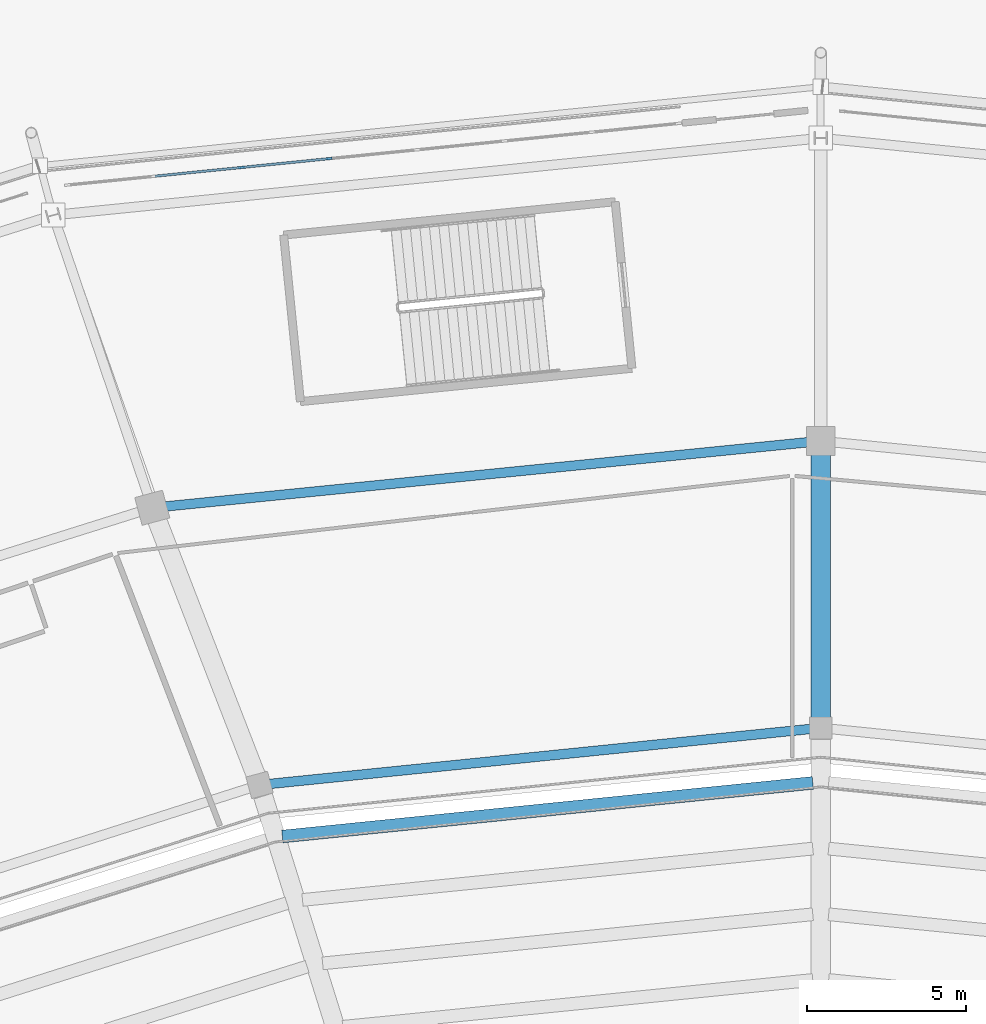
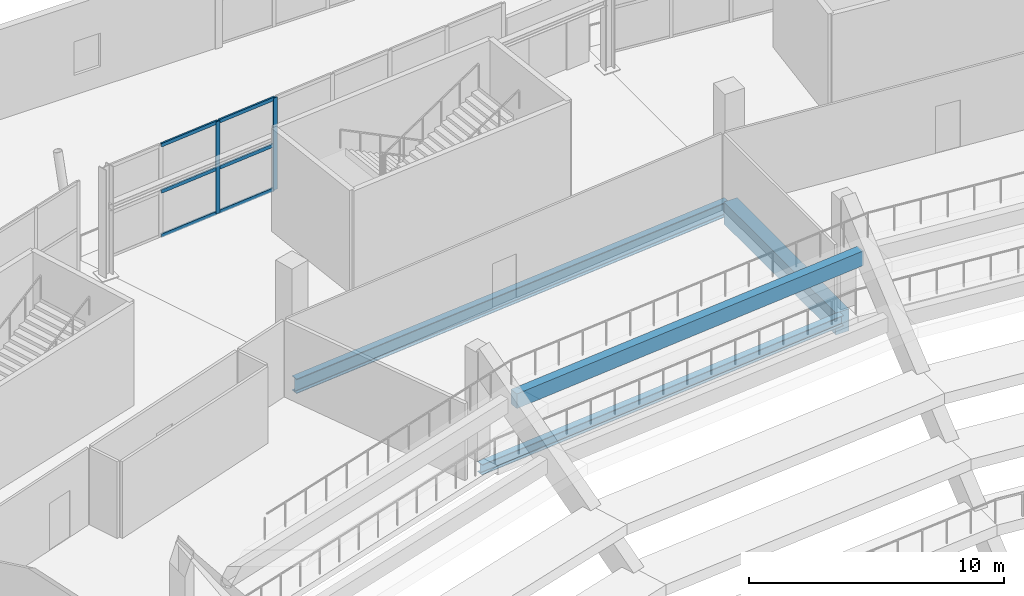
# One storey, part 74 of 178: 8 members, 4 beams, 1 element without a shape of its own.
"""IFC4 building model written with IfcOpenShell, lengths in metres."""

from ifc_helpers import new_model, si_unit, direction, frame, origin, origin_2d, place, context, subcontext, project, spatial, rectangle, i_section, extrude, material, material_profile, profile_set, type_object, element, aggregate, save


model = new_model("IFC4")

# Units and contexts
model_context = context("Model", 3, precision=1e-05, world=origin(), true_north=direction((0.0, 1.0)))
body_context = subcontext(model_context, "Body", "Model", "MODEL_VIEW")
ifc_project = project(units=[si_unit("LENGTHUNIT", "METRE"), si_unit("AREAUNIT", "SQUARE_METRE"), si_unit("VOLUMEUNIT", "CUBIC_METRE"), si_unit("PLANEANGLEUNIT", "RADIAN"), si_unit("MASSUNIT", "GRAM", prefix="KILO")], contexts=[model_context])

# Site, building, storey
site_placement = place(None, origin())
site = spatial("IfcSite", under=ifc_project, at=site_placement, CompositionType="ELEMENT")
building_placement = place(site_placement, origin())
building = spatial("IfcBuilding", under=site, at=building_placement, Name="Zlatoyarsky Gate Stadium", CompositionType="ELEMENT")
storey_placement = place(building_placement, frame((0.0, 0.0, 5.39990234375)))
storey = spatial("IfcBuildingStorey", under=building, at=storey_placement, Name="L01", CompositionType="ELEMENT", Elevation=5.39990234375)

# Curtain wall, members
ifc_material_1 = material(Name="Thermally broken anodised aluminium curtain wall", Category="aluminium")
curtain_wall_type = type_object("IfcCurtainWallType", Name="MONUMENTAL ARCHED GATE GLAZING LOWER", PredefinedType="USERDEFINED", material=ifc_material_1)
curtain_wall_placement = place(storey_placement, origin())
curtain_wall = element("IfcCurtainWall", 1, at=curtain_wall_placement, inside=storey, type_object=curtain_wall_type, Name="Curtain wall CW-L01-06", ObjectType="ARCHED GATE GLAZING", PredefinedType="USERDEFINED")
ifc_material_2 = material(Name="Anodised aluminium 6063-T6", Category="aluminium")
ifc_material_profile_1 = material_profile(ifc_material_2, rectangle(XDim=0.074951171875, YDim=0.18994140625, at=origin_2d()), Name="ALU 75X190")
ifc_profile_set_1 = profile_set([ifc_material_profile_1], Name="Anodised aluminium 6063-T6")
member_type_1 = type_object("IfcMemberType", Name="ALUMINIUM GATE MULLION 75X190", PredefinedType="MULLION", material=ifc_profile_set_1)
member_1_placement = place(storey_placement, frame((95.583251953125, 150.3544921875, 0.0), z_axis=(0.0, 0.0, 1.0), x_axis=(0.100302795257, -0.994956958498, 0.0)))
member_1 = element("IfcMember", 2, at=member_1_placement, type_object=member_type_1, Name="CW-AG1 mullion 5", PredefinedType="MULLION", context=body_context, shape_type="SweptSolid", body=[
    extrude(rectangle(XDim=0.074951171875, YDim=0.18994140625, at=origin_2d()), origin(), (0.0, 0.0, 1.0), 4.400146484375),
])
member_2_placement = place(storey_placement, frame((92.8359375, 150.077392578125, 0.0), z_axis=(0.0, 0.0, 1.0), x_axis=(0.100302795257, -0.994956958498, 0.0)))
member_2 = element("IfcMember", 3, at=member_2_placement, type_object=member_type_1, Name="CW-AG1 mullion 6", PredefinedType="MULLION", context=body_context, shape_type="SweptSolid", body=[
    extrude(rectangle(XDim=0.074951171875, YDim=0.18994140625, at=origin_2d()), origin(), (0.0, 0.0, 1.0), 4.400146484375),
])
ifc_material_profile_2 = material_profile(ifc_material_2, rectangle(XDim=0.074951171875, YDim=0.169921875, at=origin_2d()), Name="ALU 75X170")
ifc_profile_set_2 = profile_set([ifc_material_profile_2], Name="Anodised aluminium 6063-T6")
member_type_2 = type_object("IfcMemberType", Name="ALUMINIUM GATE TRANSOM 75X170", PredefinedType="USERDEFINED", material=ifc_profile_set_2)
member_3_placement = place(storey_placement, frame((95.5458984375, 150.3505859375, 0.03759765625), z_axis=(-0.994953149133, -0.100340575193, 0.0), x_axis=(0.100340575193, -0.994953149133, 0.0)))
member_3 = element("IfcMember", 4, at=member_3_placement, type_object=member_type_2, Name="CW-AG1 transom 5.1", ObjectType="TRANSOM", PredefinedType="USERDEFINED", context=body_context, shape_type="SweptSolid", body=[
    extrude(rectangle(XDim=0.074951171875, YDim=0.169921875, at=origin_2d()), origin(), (0.0, 0.0, 1.0), 2.686279296875),
])
member_4_placement = place(storey_placement, frame((95.5458984375, 150.3505859375, 2.150146484375), z_axis=(-0.994953149133, -0.100340575193, 0.0), x_axis=(0.100340575193, -0.994953149133, 0.0)))
member_4 = element("IfcMember", 5, at=member_4_placement, type_object=member_type_2, Name="CW-AG1 transom 5.2", ObjectType="TRANSOM", PredefinedType="USERDEFINED", context=body_context, shape_type="SweptSolid", body=[
    extrude(rectangle(XDim=0.074951171875, YDim=0.169921875, at=origin_2d()), origin(), (0.0, 0.0, 1.0), 2.686279296875),
])
member_5_placement = place(storey_placement, frame((95.5458984375, 150.3505859375, 4.362548828125), z_axis=(-0.994953149133, -0.100340575193, 0.0), x_axis=(0.100340575193, -0.994953149133, 0.0)))
member_5 = element("IfcMember", 6, at=member_5_placement, type_object=member_type_2, Name="CW-AG1 transom 5.3", ObjectType="TRANSOM", PredefinedType="USERDEFINED", context=body_context, shape_type="SweptSolid", body=[
    extrude(rectangle(XDim=0.074951171875, YDim=0.169921875, at=origin_2d()), origin(), (0.0, 0.0, 1.0), 2.686279296875),
])
member_6_placement = place(storey_placement, frame((92.798583984375, 150.07373046875, 0.03759765625), z_axis=(-0.994953149133, -0.100340575193, 0.0), x_axis=(0.100340575193, -0.994953149133, 0.0)))
member_6 = element("IfcMember", 7, at=member_6_placement, type_object=member_type_2, Name="CW-AG1 transom 6.1", ObjectType="TRANSOM", PredefinedType="USERDEFINED", context=body_context, shape_type="SweptSolid", body=[
    extrude(rectangle(XDim=0.074951171875, YDim=0.169921875, at=origin_2d()), origin(), (0.0, 0.0, 1.0), 2.686279296875),
])
member_7_placement = place(storey_placement, frame((92.798583984375, 150.07373046875, 2.150146484375), z_axis=(-0.994953149133, -0.100340575193, 0.0), x_axis=(0.100340575193, -0.994953149133, 0.0)))
member_7 = element("IfcMember", 8, at=member_7_placement, type_object=member_type_2, Name="CW-AG1 transom 6.2", ObjectType="TRANSOM", PredefinedType="USERDEFINED", context=body_context, shape_type="SweptSolid", body=[
    extrude(rectangle(XDim=0.074951171875, YDim=0.169921875, at=origin_2d()), origin(), (0.0, 0.0, 1.0), 2.686279296875),
])
member_8_placement = place(storey_placement, frame((92.798583984375, 150.07373046875, 4.362548828125), z_axis=(-0.994953149133, -0.100340575193, 0.0), x_axis=(0.100340575193, -0.994953149133, 0.0)))
member_8 = element("IfcMember", 9, at=member_8_placement, type_object=member_type_2, Name="CW-AG1 transom 6.3", ObjectType="TRANSOM", PredefinedType="USERDEFINED", context=body_context, shape_type="SweptSolid", body=[
    extrude(rectangle(XDim=0.074951171875, YDim=0.169921875, at=origin_2d()), origin(), (0.0, 0.0, 1.0), 2.686279296875),
])
aggregate(curtain_wall, [member_1, member_2, member_3, member_4, member_5, member_6, member_7, member_8])

# Beams
ifc_material_3 = material(Name="Concrete C40/50", Category="concrete")
ifc_material_profile_3 = material_profile(ifc_material_3, rectangle(XDim=0.39990234375, YDim=0.699951171875, at=origin_2d()), Name="RC BEAM 400X700")
ifc_profile_set_3 = profile_set([ifc_material_profile_3], Name="Concrete C40/50")
beam_type_1 = type_object("IfcBeamType", Name="CONCRETE FLOOR BEAM 400X700", PredefinedType="BEAM", material=ifc_profile_set_3)
beam_1_placement = place(storey_placement, frame((110.751220703125, 130.77490234375, 3.380126953125), z_axis=(-0.994934312971, -0.100527174794, 0.0), x_axis=(0.100527174794, -0.994934312971, 0.0)))
element("IfcBeam", 10, at=beam_1_placement, inside=storey, type_object=beam_type_1, Name="Lower bowl step tie beam 06.5", PredefinedType="BEAM", context=body_context, shape_type="SweptSolid", body=[
    extrude(rectangle(XDim=0.39990234375, YDim=0.699951171875, at=origin_2d()), origin(), (0.0, 0.0, 1.0), 16.720947265625),
])
ifc_material_profile_4 = material_profile(ifc_material_3, rectangle(XDim=0.60009765625, YDim=1.050048828125, at=origin_2d()), Name="RC GIRDER 600X1050")
ifc_profile_set_4 = profile_set([ifc_material_profile_4], Name="Concrete C40/50")
beam_type_2 = type_object("IfcBeamType", Name="CONCRETE PRIMARY GIRDER 600X1050", PredefinedType="T_BEAM", material=ifc_profile_set_4)
beam_2_placement = place(storey_placement, frame((111.0, 132.6201171875, -0.98486328125), z_axis=(0.0, 1.0, 0.0), x_axis=(-1.0, 0.0, 0.0)))
element("IfcBeam", 11, at=beam_2_placement, inside=storey, type_object=beam_type_2, Name="Beam G-RC105 BM-L01-RAB-06", PredefinedType="T_BEAM", context=body_context, shape_type="SweptSolid", body=[
    extrude(rectangle(XDim=0.60009765625, YDim=1.050048828125, at=origin_2d()), origin(), (0.0, 0.0, 1.0), 8.759765625),
])
ifc_material_4 = material(Name="Steel S355", Category="steel")
ifc_material_profile_5 = material_profile(ifc_material_4, i_section(OverallWidth=0.300048828125, OverallDepth=0.5, WebThickness=0.014404296875, FlangeThickness=0.028076171875, FilletRadius=0.027099609375, at=origin_2d()), Name="HEB 500")
ifc_profile_set_5 = profile_set([ifc_material_profile_5], Name="Steel S355")
beam_type_3 = type_object("IfcBeamType", Name="STEEL PRIMARY GIRDER HEB 500", PredefinedType="BEAM", material=ifc_profile_set_5)
beam_3_placement = place(storey_placement, frame((110.880615234375, 132.48779296875, -0.7099609375), z_axis=(-0.994873800639, -0.101124283941, 0.0), x_axis=(0.101124283941, -0.994873800639, 0.0)))
element("IfcBeam", 12, at=beam_3_placement, inside=storey, type_object=beam_type_3, Name="Beam G-HEB500 BM-L01-CRA-06", PredefinedType="BEAM", context=body_context, shape_type="SweptSolid", body=[
    extrude(i_section(OverallWidth=0.300048828125, OverallDepth=0.5, WebThickness=0.014404296875, FlangeThickness=0.028076171875, FilletRadius=0.027099609375, at=origin_2d()), origin(), (0.0, 0.0, 1.0), 17.4501953125),
])
ifc_material_profile_6 = material_profile(ifc_material_4, i_section(OverallWidth=0.300048828125, OverallDepth=0.699951171875, WebThickness=0.01708984375, FlangeThickness=0.031982421875, FilletRadius=0.027099609375, at=origin_2d()), Name="HEB 700")
ifc_profile_set_6 = profile_set([ifc_material_profile_6], Name="Steel S355")
beam_type_4 = type_object("IfcBeamType", Name="STEEL PRIMARY GIRDER HEB 700", PredefinedType="BEAM", material=ifc_profile_set_6)
beam_4_placement = place(storey_placement, frame((110.880615234375, 141.488037109375, -0.809814453125), z_axis=(-0.995040903182, -0.099466582298, 0.0), x_axis=(0.099466582298, -0.995040903182, 0.0)))
element("IfcBeam", 13, at=beam_4_placement, inside=storey, type_object=beam_type_4, Name="Beam G-HEB700 BM-L01-CRB-06", PredefinedType="BEAM", context=body_context, shape_type="SweptSolid", body=[
    extrude(i_section(OverallWidth=0.300048828125, OverallDepth=0.699951171875, WebThickness=0.01708984375, FlangeThickness=0.031982421875, FilletRadius=0.027099609375, at=origin_2d()), origin(), (0.0, 0.0, 1.0), 20.828857421875),
])

save(model, "model.ifc")
